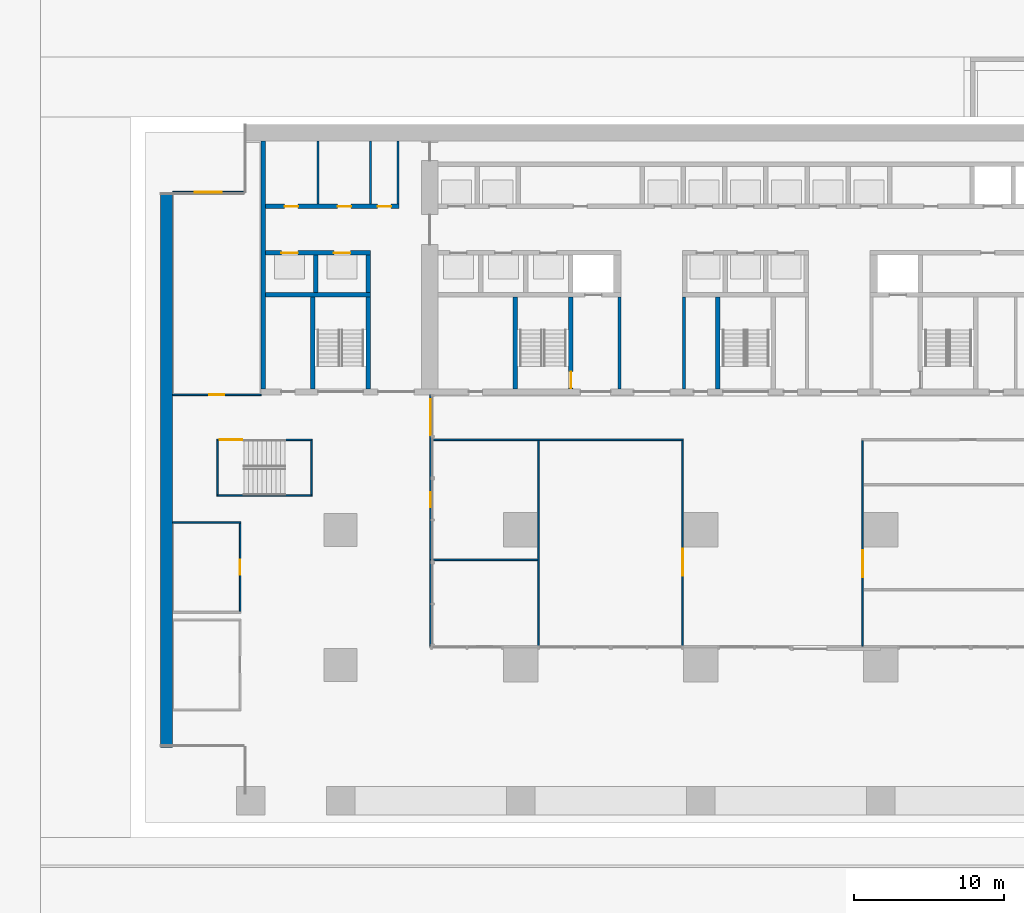
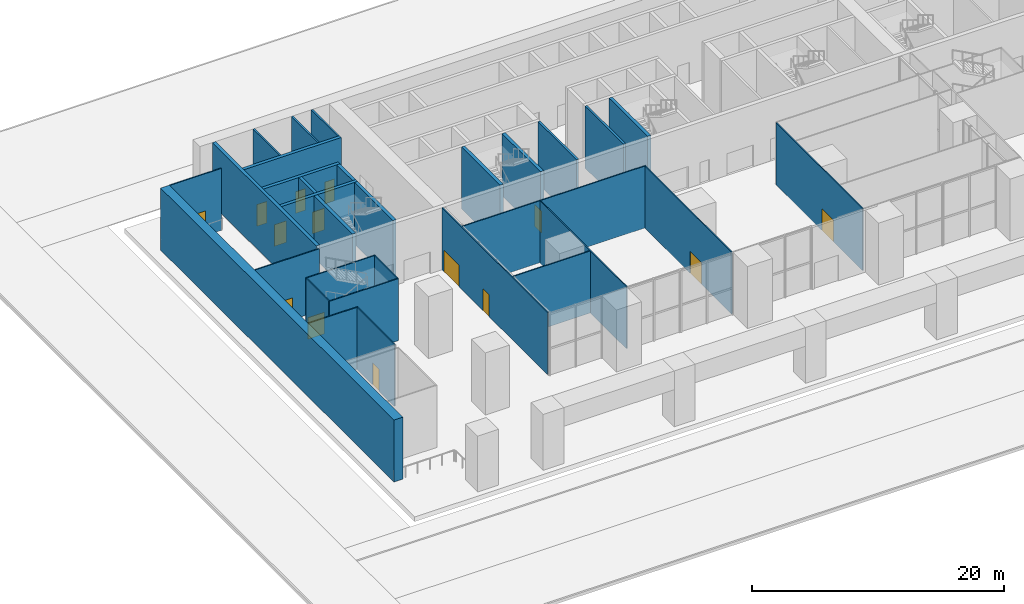
# One storey, part 6 of 16: 31 walls, 14 doors, 14 openings.
"""IFC4 building model written with IfcOpenShell, lengths in metres."""

from ifc_helpers import new_model, si_unit, direction, frame, frame_2d, origin, place, context, subcontext, project, spatial, rectangle, extrude, material, layer, layer_set, type_object, element, fill, save


model = new_model("IFC4")

# Units and contexts
model_context = context("Model", 3, precision=1e-05, world=origin(), true_north=direction((0.0, 1.0)))
body_context = subcontext(model_context, "Body", "Model", "MODEL_VIEW")
ifc_project = project(units=[si_unit("LENGTHUNIT", "METRE"), si_unit("AREAUNIT", "SQUARE_METRE"), si_unit("VOLUMEUNIT", "CUBIC_METRE"), si_unit("PLANEANGLEUNIT", "RADIAN"), si_unit("MASSUNIT", "GRAM", prefix="KILO")], contexts=[model_context])

# Site, building, storey
site_placement = place(None, origin())
site = spatial("IfcSite", under=ifc_project, at=site_placement, CompositionType="ELEMENT")
building_placement = place(site_placement, origin())
building = spatial("IfcBuilding", under=site, at=building_placement, Name="Calvaro Tower", CompositionType="ELEMENT")
storey_placement = place(building_placement, origin())
storey = spatial("IfcBuildingStorey", under=building, at=storey_placement, Name="L00", CompositionType="ELEMENT", Elevation=0.0)

# Walls
ifc_material_1 = material(Name="Blockwork partition", Category="masonry")
ifc_layer_1 = layer(ifc_material_1, 0.14990234375)
ifc_layer_set_1 = layer_set([ifc_layer_1], Name="Blockwork partition")
wall_type_1 = type_object("IfcWallType", Name="Core partition 150 EI 60", PredefinedType="PARTITIONING", material=ifc_layer_set_1)
for number, where, z_axis, x_axis, name in (
    (1, (10.5, 40.699951171875, 0.0), (0.0, 0.0, 1.0), (0.0, 1.0, 0.0), "Core partition"),
    (2, (14.0, 40.699951171875, 0.0), (0.0, 0.0, 1.0), (0.0, 1.0, 0.0), "Core partition"),
):
    element("IfcWall", number, at=place(storey_placement, frame(where, z_axis=z_axis, x_axis=x_axis)), inside=storey, type_object=wall_type_1, Name=name, PredefinedType="PARTITIONING", context=body_context, shape_type="SweptSolid", body=[
        extrude(rectangle(XDim=4.199951171875, YDim=0.14990234375, at=frame_2d((2.10009765625, 0.0))), origin(), (0.0, 0.0, 1.0), 6.0),
    ])
ifc_material_2 = material(Name="Blockwork partition", Category="masonry")
ifc_layer_2 = layer(ifc_material_2, 0.14990234375)
ifc_layer_set_2 = layer_set([ifc_layer_2], Name="Blockwork partition")
wall_type_2 = type_object("IfcWallType", Name="Core partition 150 REI 120", PredefinedType="PARTITIONING", material=ifc_layer_set_2)
wall_1_placement = place(storey_placement, frame((15.824951171875, 40.699951171875, 0.0), z_axis=(0.0, 0.0, 1.0), x_axis=(0.0, 1.0, 0.0)))
element("IfcWall", 3, at=wall_1_placement, inside=storey, type_object=wall_type_2, Name="Core partition", PredefinedType="PARTITIONING", context=body_context, shape_type="SweptSolid", body=[
    extrude(rectangle(XDim=4.199951171875, YDim=0.14990234375, at=frame_2d((2.10009765625, 0.0))), origin(), (0.0, 0.0, 1.0), 6.0),
])
ifc_material_3 = material(Name="Blockwork partition", Category="masonry")
ifc_layer_3 = layer(ifc_material_3, 0.199951171875)
ifc_layer_set_3 = layer_set([ifc_layer_3], Name="Blockwork partition")
wall_type_3 = type_object("IfcWallType", Name="Core partition 200 REI 120", PredefinedType="PARTITIONING", material=ifc_layer_set_3)
for number, where, z_axis, x_axis, name in (
    (4, (30.60009765625, 28.39990234375, 0.0), (0.0, 0.0, 1.0), (0.0, 1.0, 0.0), "Core partition"),
    (5, (34.89990234375, 28.39990234375, 0.0), (0.0, 0.0, 1.0), (0.0, 1.0, 0.0), "Core partition"),
):
    element("IfcWall", number, at=place(storey_placement, frame(where, z_axis=z_axis, x_axis=x_axis)), inside=storey, type_object=wall_type_3, Name=name, PredefinedType="PARTITIONING", context=body_context, shape_type="SweptSolid", body=[
        extrude(rectangle(XDim=6.10009765625, YDim=0.199951171875, at=frame_2d((3.050048828125, 0.0))), origin(), (0.0, 0.0, 1.0), 6.0),
    ])

# Wall, openings, doors
ifc_material_4 = material(Name="Blockwork partition", Category="masonry")
ifc_layer_4 = layer(ifc_material_4, 0.300048828125)
ifc_layer_set_4 = layer_set([ifc_layer_4], Name="Blockwork partition")
wall_type_4 = type_object("IfcWallType", Name="Core partition 300 REI 120", PredefinedType="PARTITIONING", material=ifc_layer_set_4)
wall_2_placement = place(storey_placement, frame((7.0, 40.550048828125, 0.0), z_axis=(0.0, 0.0, 1.0), x_axis=(1.0, 0.0, 0.0)))
wall_2 = element("IfcWall", 6, at=wall_2_placement, inside=storey, type_object=wall_type_4, Name="Core partition", PredefinedType="PARTITIONING", context=body_context, shape_type="SweptSolid", body=[
    extrude(rectangle(XDim=8.89990234375, YDim=0.300048828125, at=frame_2d((4.449951171875, 0.0))), origin(), (0.0, 0.0, 1.0), 6.0),
])
opening_1_placement = place(wall_2_placement, frame((1.262451171875, 0.0, 0.0)))
opening_1 = element("IfcOpeningElement", 7, at=opening_1_placement, cuts=wall_2, Name="Opening RD9", PredefinedType="OPENING", context=body_context, shape_type="SweptSolid", body=[
    extrude(rectangle(XDim=0.89990234375, YDim=2.10009765625, at=frame_2d((0.449951171875, 1.050048828125))), frame((0.0, 0.159912109375, 0.0), z_axis=(0.0, -1.0, 0.0), x_axis=(1.0, 0.0, 0.0)), (0.0, 0.0, 1.0), 0.320068359375),
])
opening_2_placement = place(wall_2_placement, frame((4.800048828125, 0.0, 0.0)))
opening_2 = element("IfcOpeningElement", 8, at=opening_2_placement, cuts=wall_2, Name="Opening RD9", PredefinedType="OPENING", context=body_context, shape_type="SweptSolid", body=[
    extrude(rectangle(XDim=0.89990234375, YDim=2.10009765625, at=frame_2d((0.449951171875, 1.050048828125))), frame((0.0, 0.159912109375, 0.0), z_axis=(0.0, -1.0, 0.0), x_axis=(1.0, 0.0, 0.0)), (0.0, 0.0, 1.0), 0.320068359375),
])
opening_3_placement = place(wall_2_placement, frame((7.46240234375, 0.0, 0.0)))
opening_3 = element("IfcOpeningElement", 9, at=opening_3_placement, cuts=wall_2, Name="Opening RD9", PredefinedType="OPENING", context=body_context, shape_type="SweptSolid", body=[
    extrude(rectangle(XDim=0.89990234375, YDim=2.10009765625, at=frame_2d((0.449951171875, 1.050048828125))), frame((0.0, 0.159912109375, 0.0), z_axis=(0.0, -1.0, 0.0), x_axis=(1.0, 0.0, 0.0)), (0.0, 0.0, 1.0), 0.320068359375),
])
ifc_material_5 = material(Name="Steel door set", Category="steel")
door_type_1 = type_object("IfcDoorType", Name="Room door 900", OperationType="SINGLE_SWING_LEFT", PredefinedType="DOOR", material=ifc_material_5)
door_1_placement = place(opening_1_placement, origin())
door_1 = element("IfcDoor", 10, at=door_1_placement, inside=storey, type_object=door_type_1, Name="Room door", OperationType="SINGLE_SWING_LEFT", OverallHeight=2.10009765625, OverallWidth=0.89990234375, PredefinedType="DOOR", context=body_context, shape_type="SweptSolid", body=[
    extrude(rectangle(XDim=0.89990234375, YDim=2.10009765625, at=frame_2d((0.449951171875, 1.050048828125))), frame((0.0, 0.02490234375, 0.0), z_axis=(0.0, -1.0, 0.0), x_axis=(1.0, 0.0, 0.0)), (0.0, 0.0, 1.0), 0.050048828125),
])
fill(opening_1, door_1)
door_2_placement = place(opening_2_placement, origin())
door_2 = element("IfcDoor", 11, at=door_2_placement, inside=storey, type_object=door_type_1, Name="Room door", OperationType="SINGLE_SWING_LEFT", OverallHeight=2.10009765625, OverallWidth=0.89990234375, PredefinedType="DOOR", context=body_context, shape_type="SweptSolid", body=[
    extrude(rectangle(XDim=0.89990234375, YDim=2.10009765625, at=frame_2d((0.449951171875, 1.050048828125))), frame((0.0, 0.02490234375, 0.0), z_axis=(0.0, -1.0, 0.0), x_axis=(1.0, 0.0, 0.0)), (0.0, 0.0, 1.0), 0.050048828125),
])
fill(opening_2, door_2)
door_3_placement = place(opening_3_placement, origin())
door_3 = element("IfcDoor", 12, at=door_3_placement, inside=storey, type_object=door_type_1, Name="Room door", OperationType="SINGLE_SWING_LEFT", OverallHeight=2.10009765625, OverallWidth=0.89990234375, PredefinedType="DOOR", context=body_context, shape_type="SweptSolid", body=[
    extrude(rectangle(XDim=0.89990234375, YDim=2.10009765625, at=frame_2d((0.449951171875, 1.050048828125))), frame((0.0, 0.02490234375, 0.0), z_axis=(0.0, -1.0, 0.0), x_axis=(1.0, 0.0, 0.0)), (0.0, 0.0, 1.0), 0.050048828125),
])
fill(opening_3, door_3)

# Walls
ifc_material_6 = material(Name="Concrete C80/95", Category="concrete")
ifc_layer_5 = layer(ifc_material_6, 0.300048828125)
ifc_layer_set_5 = layer_set([ifc_layer_5], Name="Concrete C80/95")
wall_type_5 = type_object("IfcWallType", Name="Core wall C80/95 300", PredefinedType="SHEAR", material=ifc_layer_set_5)
wall_3_placement = place(storey_placement, frame((6.85009765625, 28.39990234375, 0.0), z_axis=(0.0, 0.0, 1.0), x_axis=(0.0, 1.0, 0.0)))
element("IfcWall", 13, at=wall_3_placement, inside=storey, type_object=wall_type_5, Name="Core wall, boundary", PredefinedType="SHEAR", context=body_context, shape_type="SweptSolid", body=[
    extrude(rectangle(XDim=16.5, YDim=0.300048828125, at=frame_2d((8.25, 0.0))), origin(), (0.0, 0.0, 1.0), 6.0),
])
for number, where, z_axis, x_axis, name in (
    (14, (10.14990234375, 28.39990234375, 0.0), (0.0, 0.0, 1.0), (0.0, 1.0, 0.0), "Core wall, stair enclosure"),
    (15, (13.85009765625, 28.39990234375, 0.0), (0.0, 0.0, 1.0), (0.0, 1.0, 0.0), "Core wall, stair enclosure"),
    (16, (23.64990234375, 28.39990234375, 0.0), (0.0, 0.0, 1.0), (0.0, 1.0, 0.0), "Core wall, stair enclosure"),
):
    element("IfcWall", number, at=place(storey_placement, frame(where, z_axis=z_axis, x_axis=x_axis)), inside=storey, type_object=wall_type_5, Name=name, PredefinedType="SHEAR", context=body_context, shape_type="SweptSolid", body=[
        extrude(rectangle(XDim=6.10009765625, YDim=0.300048828125, at=frame_2d((3.050048828125, 0.0))), origin(), (0.0, 0.0, 1.0), 6.0),
    ])

# Wall, opening, door
wall_4_placement = place(storey_placement, frame((27.35009765625, 34.5, 0.0), z_axis=(0.0, 0.0, 1.0), x_axis=(0.0, -1.0, 0.0)))
wall_4 = element("IfcWall", 17, at=wall_4_placement, inside=storey, type_object=wall_type_5, Name="Core wall, stair enclosure", PredefinedType="SHEAR", context=body_context, shape_type="SweptSolid", body=[
    extrude(rectangle(XDim=6.10009765625, YDim=0.300048828125, at=frame_2d((3.050048828125, 0.0))), origin(), (0.0, 0.0, 1.0), 6.0),
])
opening_4_placement = place(wall_4_placement, frame((4.949951171875, 0.0, 0.0)))
opening_4 = element("IfcOpeningElement", 18, at=opening_4_placement, cuts=wall_4, Name="Opening FD11DX", PredefinedType="OPENING", context=body_context, shape_type="SweptSolid", body=[
    extrude(rectangle(XDim=1.10009765625, YDim=2.10009765625, at=frame_2d((0.550048828125, 1.050048828125))), frame((0.0, 0.159912109375, 0.0), z_axis=(0.0, -1.0, 0.0), x_axis=(1.0, 0.0, 0.0)), (0.0, 0.0, 1.0), 0.320068359375),
])
ifc_material_7 = material(Name="Steel door set", Category="steel")
door_type_2 = type_object("IfcDoorType", Name="External fire door 1100 FD30S", OperationType="SINGLE_SWING_LEFT", PredefinedType="DOOR", material=ifc_material_7)
door_4_placement = place(opening_4_placement, origin())
door_4 = element("IfcDoor", 19, at=door_4_placement, inside=storey, type_object=door_type_2, Name="Fire door", OperationType="SINGLE_SWING_RIGHT", OverallHeight=2.10009765625, OverallWidth=1.10009765625, PredefinedType="DOOR", context=body_context, shape_type="SweptSolid", body=[
    extrude(rectangle(XDim=1.10009765625, YDim=2.10009765625, at=frame_2d((0.550048828125, 1.050048828125))), frame((0.0, 0.02490234375, 0.0), z_axis=(0.0, -1.0, 0.0), x_axis=(1.0, 0.0, 0.0)), (0.0, 0.0, 1.0), 0.050048828125),
])
fill(opening_4, door_4)

# Walls
wall_5_placement = place(storey_placement, frame((37.14990234375, 28.39990234375, 0.0), z_axis=(0.0, 0.0, 1.0), x_axis=(0.0, 1.0, 0.0)))
element("IfcWall", 20, at=wall_5_placement, inside=storey, type_object=wall_type_5, Name="Core wall, stair enclosure", PredefinedType="SHEAR", context=body_context, shape_type="SweptSolid", body=[
    extrude(rectangle(XDim=6.10009765625, YDim=0.300048828125, at=frame_2d((3.050048828125, 0.0))), origin(), (0.0, 0.0, 1.0), 6.0),
])
wall_6_placement = place(storey_placement, frame((7.0, 34.64990234375, 0.0), z_axis=(0.0, 0.0, 1.0), x_axis=(1.0, 0.0, 0.0)))
element("IfcWall", 21, at=wall_6_placement, inside=storey, type_object=wall_type_5, Name="Core wall, lift shaft", PredefinedType="SHEAR", context=body_context, shape_type="SweptSolid", body=[
    extrude(rectangle(XDim=7.0, YDim=0.300048828125, at=frame_2d((3.5, 0.0))), origin(), (0.0, 0.0, 1.0), 6.0),
])

# Wall, openings, doors
wall_7_placement = place(storey_placement, frame((7.0, 37.449951171875, 0.0), z_axis=(0.0, 0.0, 1.0), x_axis=(1.0, 0.0, 0.0)))
wall_7 = element("IfcWall", 22, at=wall_7_placement, inside=storey, type_object=wall_type_5, Name="Core wall, lift shaft", PredefinedType="SHEAR", context=body_context, shape_type="SweptSolid", body=[
    extrude(rectangle(XDim=7.0, YDim=0.300048828125, at=frame_2d((3.5, 0.0))), origin(), (0.0, 0.0, 1.0), 6.0),
])
opening_5_placement = place(wall_7_placement, frame((1.050048828125, 0.0, 0.0)))
opening_5 = element("IfcOpeningElement", 23, at=opening_5_placement, cuts=wall_7, Name="Opening EX1", PredefinedType="OPENING", context=body_context, shape_type="SweptSolid", body=[
    extrude(rectangle(XDim=1.10009765625, YDim=2.10009765625, at=frame_2d((0.550048828125, 1.050048828125))), frame((0.0, 0.159912109375, 0.0), z_axis=(0.0, -1.0, 0.0), x_axis=(1.0, 0.0, 0.0)), (0.0, 0.0, 1.0), 0.320068359375),
])
opening_6_placement = place(wall_7_placement, frame((4.550048828125, 0.0, 0.0)))
opening_6 = element("IfcOpeningElement", 24, at=opening_6_placement, cuts=wall_7, Name="Opening EX2", PredefinedType="OPENING", context=body_context, shape_type="SweptSolid", body=[
    extrude(rectangle(XDim=1.10009765625, YDim=2.10009765625, at=frame_2d((0.550048828125, 1.050048828125))), frame((0.0, 0.159912109375, 0.0), z_axis=(0.0, -1.0, 0.0), x_axis=(1.0, 0.0, 0.0)), (0.0, 0.0, 1.0), 0.320068359375),
])
ifc_material_8 = material(Name="Stainless steel", Category="steel")
door_type_3 = type_object("IfcDoorType", Name="Landing door 1100 E 60", OperationType="SLIDING_TO_LEFT", PredefinedType="DOOR", material=ifc_material_8)
door_5_placement = place(opening_5_placement, origin())
door_5 = element("IfcDoor", 25, at=door_5_placement, inside=storey, type_object=door_type_3, Name="Landing door EX1", OperationType="SLIDING_TO_LEFT", OverallHeight=2.10009765625, OverallWidth=1.10009765625, PredefinedType="DOOR", context=body_context, shape_type="SweptSolid", body=[
    extrude(rectangle(XDim=1.10009765625, YDim=2.10009765625, at=frame_2d((0.550048828125, 1.050048828125))), frame((0.0, 0.02490234375, 0.0), z_axis=(0.0, -1.0, 0.0), x_axis=(1.0, 0.0, 0.0)), (0.0, 0.0, 1.0), 0.050048828125),
])
fill(opening_5, door_5)
door_6_placement = place(opening_6_placement, origin())
door_6 = element("IfcDoor", 26, at=door_6_placement, inside=storey, type_object=door_type_3, Name="Landing door EX2", OperationType="SLIDING_TO_LEFT", OverallHeight=2.10009765625, OverallWidth=1.10009765625, PredefinedType="DOOR", context=body_context, shape_type="SweptSolid", body=[
    extrude(rectangle(XDim=1.10009765625, YDim=2.10009765625, at=frame_2d((0.550048828125, 1.050048828125))), frame((0.0, 0.02490234375, 0.0), z_axis=(0.0, -1.0, 0.0), x_axis=(1.0, 0.0, 0.0)), (0.0, 0.0, 1.0), 0.050048828125),
])
fill(opening_6, door_6)

# Walls
for number, where, z_axis, x_axis, name in (
    (27, (13.85009765625, 34.800048828125, 0.0), (0.0, 0.0, 1.0), (0.0, 1.0, 0.0), "Core wall, lift shaft"),
    (28, (10.35009765625, 34.800048828125, 0.0), (0.0, 0.0, 1.0), (0.0, 1.0, 0.0), "Core wall, lift shaft"),
):
    element("IfcWall", number, at=place(storey_placement, frame(where, z_axis=z_axis, x_axis=x_axis)), inside=storey, type_object=wall_type_5, Name=name, PredefinedType="SHEAR", context=body_context, shape_type="SweptSolid", body=[
        extrude(rectangle(XDim=2.5, YDim=0.300048828125, at=frame_2d((1.25, 0.0))), origin(), (0.0, 0.0, 1.0), 6.0),
    ])
ifc_material_9 = material(Name="Concrete C80/95", Category="concrete")
ifc_layer_6 = layer(ifc_material_9, 0.800048828125)
ifc_layer_set_6 = layer_set([ifc_layer_6], Name="Concrete C80/95")
wall_type_6 = type_object("IfcWallType", Name="End wall 800 C80/95", PredefinedType="SHEAR", material=ifc_layer_set_6)
wall_8_placement = place(storey_placement, frame((0.39990234375, 4.5, 0.0), z_axis=(0.0, 0.0, 1.0), x_axis=(0.0, 1.0, 0.0)))
element("IfcWall", 29, at=wall_8_placement, inside=storey, type_object=wall_type_6, Name="End shear wall", PredefinedType="SHEAR", context=body_context, shape_type="SweptSolid", body=[
    extrude(rectangle(XDim=37.0, YDim=0.800048828125, at=frame_2d((18.5, 0.0))), origin(), (0.0, 0.0, 1.0), 6.0),
])

# Wall, openings, doors
ifc_material_10 = material(Name="Glass", Category="glass")
ifc_layer_7 = layer(ifc_material_10, 0.10009765625)
ifc_layer_set_7 = layer_set([ifc_layer_7], Name="Glass")
wall_type_7 = type_object("IfcWallType", Name="External glazed partition 100", PredefinedType="PARTITIONING", material=ifc_layer_set_7)
wall_9_placement = place(storey_placement, frame((18.0, 11.25, 0.0), z_axis=(0.0, 0.0, 1.0), x_axis=(0.0, 1.0, 0.0)))
wall_9 = element("IfcWall", 30, at=wall_9_placement, inside=storey, type_object=wall_type_7, Name="Partition T03.W027", PredefinedType="PARTITIONING", context=body_context, shape_type="SweptSolid", body=[
    extrude(rectangle(XDim=16.75, YDim=0.10009765625, at=frame_2d((8.375, 0.0))), origin(), (0.0, 0.0, 1.0), 6.0),
])
opening_7_placement = place(wall_9_placement, frame((14.050048828125, 0.0, 0.0)))
opening_7 = element("IfcOpeningElement", 31, at=opening_7_placement, cuts=wall_9, Name="Opening T03.001", PredefinedType="OPENING", context=body_context, shape_type="SweptSolid", body=[
    extrude(rectangle(XDim=2.39990234375, YDim=2.10009765625, at=frame_2d((1.199951171875, 1.050048828125))), frame((0.0, 0.06005859375, 0.0), z_axis=(0.0, -1.0, 0.0), x_axis=(1.0, 0.0, 0.0)), (0.0, 0.0, 1.0), 0.1201171875),
])
opening_8_placement = place(wall_9_placement, frame((9.25, 0.0, 0.0)))
opening_8 = element("IfcOpeningElement", 32, at=opening_8_placement, cuts=wall_9, Name="Opening T03.011", PredefinedType="OPENING", context=body_context, shape_type="SweptSolid", body=[
    extrude(rectangle(XDim=1.0, YDim=2.10009765625, at=frame_2d((0.5, 1.050048828125))), frame((0.0, 0.06005859375, 0.0), z_axis=(0.0, -1.0, 0.0), x_axis=(1.0, 0.0, 0.0)), (0.0, 0.0, 1.0), 0.1201171875),
])
ifc_material_11 = material(Name="Glass", Category="glass")
door_type_4 = type_object("IfcDoorType", Name="External glazed double door 2400 x 2100", OperationType="DOUBLE_DOOR_SINGLE_SWING", PredefinedType="DOOR", material=ifc_material_11)
door_7_placement = place(opening_7_placement, origin())
door_7 = element("IfcDoor", 33, at=door_7_placement, inside=storey, type_object=door_type_4, Name="Door T03.001", OperationType="DOUBLE_DOOR_SINGLE_SWING", OverallHeight=2.10009765625, OverallWidth=2.39990234375, PredefinedType="DOOR", context=body_context, shape_type="SweptSolid", body=[
    extrude(rectangle(XDim=2.39990234375, YDim=2.10009765625, at=frame_2d((1.199951171875, 1.050048828125))), frame((0.0, 0.02490234375, 0.0), z_axis=(0.0, -1.0, 0.0), x_axis=(1.0, 0.0, 0.0)), (0.0, 0.0, 1.0), 0.050048828125),
])
fill(opening_7, door_7)
ifc_material_12 = material(Name="Glass", Category="glass")
door_type_5 = type_object("IfcDoorType", Name="External glazed single door 1000 x 2100", OperationType="SINGLE_SWING_LEFT", PredefinedType="DOOR", material=ifc_material_12)
door_8_placement = place(opening_8_placement, origin())
door_8 = element("IfcDoor", 34, at=door_8_placement, inside=storey, type_object=door_type_5, Name="Door T03.011", OperationType="SINGLE_SWING_RIGHT", OverallHeight=2.10009765625, OverallWidth=1.0, PredefinedType="DOOR", context=body_context, shape_type="SweptSolid", body=[
    extrude(rectangle(XDim=1.0, YDim=2.10009765625, at=frame_2d((0.5, 1.050048828125))), frame((0.0, 0.02490234375, 0.0), z_axis=(0.0, -1.0, 0.0), x_axis=(1.0, 0.0, 0.0)), (0.0, 0.0, 1.0), 0.050048828125),
])
fill(opening_8, door_8)

# Wall
ifc_material_13 = material(Name="Plasterboard on steel studs", Category="steel")
ifc_layer_8 = layer(ifc_material_13, 0.10009765625)
ifc_layer_set_8 = layer_set([ifc_layer_8], Name="Plasterboard on steel studs")
wall_type_8 = type_object("IfcWallType", Name="External partition 100", PredefinedType="PARTITIONING", material=ifc_layer_set_8)
wall_10_placement = place(storey_placement, frame((0.800048828125, 19.5, 0.0), z_axis=(0.0, 0.0, 1.0), x_axis=(1.0, 0.0, 0.0)))
element("IfcWall", 35, at=wall_10_placement, inside=storey, type_object=wall_type_8, Name="Partition T03.W011", PredefinedType="PARTITIONING", context=body_context, shape_type="SweptSolid", body=[
    extrude(rectangle(XDim=4.550048828125, YDim=0.10009765625, at=frame_2d((2.27490234375, 0.0))), origin(), (0.0, 0.0, 1.0), 6.0),
])

# Wall, opening, door
wall_11_placement = place(storey_placement, frame((5.300048828125, 13.550048828125, 0.0), z_axis=(0.0, 0.0, 1.0), x_axis=(0.0, 1.0, 0.0)))
wall_11 = element("IfcWall", 36, at=wall_11_placement, inside=storey, type_object=wall_type_8, Name="Partition T03.W025", PredefinedType="PARTITIONING", context=body_context, shape_type="SweptSolid", body=[
    extrude(rectangle(XDim=5.89990234375, YDim=0.10009765625, at=frame_2d((2.949951171875, 0.0))), origin(), (0.0, 0.0, 1.0), 6.0),
])
opening_9_placement = place(wall_11_placement, frame((2.449951171875, 0.0, 0.0)))
opening_9 = element("IfcOpeningElement", 37, at=opening_9_placement, cuts=wall_11, Name="Opening T03.007", PredefinedType="OPENING", context=body_context, shape_type="SweptSolid", body=[
    extrude(rectangle(XDim=1.0, YDim=2.10009765625, at=frame_2d((0.5, 1.050048828125))), frame((0.0, 0.06005859375, 0.0), z_axis=(0.0, -1.0, 0.0), x_axis=(1.0, 0.0, 0.0)), (0.0, 0.0, 1.0), 0.1201171875),
])
ifc_material_14 = material(Name="Timber", Category="wood")
door_type_6 = type_object("IfcDoorType", Name="External single door 1000 x 2100", OperationType="SINGLE_SWING_LEFT", PredefinedType="DOOR", material=ifc_material_14)
door_9_placement = place(opening_9_placement, frame((1.0, 0.0, 0.0), z_axis=(0.0, 0.0, 1.0), x_axis=(-1.0, 0.0, 0.0)))
door_9 = element("IfcDoor", 38, at=door_9_placement, inside=storey, type_object=door_type_6, Name="Door T03.007", OperationType="SINGLE_SWING_LEFT", OverallHeight=2.10009765625, OverallWidth=1.0, PredefinedType="DOOR", context=body_context, shape_type="SweptSolid", body=[
    extrude(rectangle(XDim=1.0, YDim=2.10009765625, at=frame_2d((0.5, 1.050048828125))), frame((0.0, 0.02490234375, 0.0), z_axis=(0.0, -1.0, 0.0), x_axis=(1.0, 0.0, 0.0)), (0.0, 0.0, 1.0), 0.050048828125),
])
fill(opening_9, door_9)

ifc_material_15 = material(Name="Plasterboard on steel studs", Category="steel")
ifc_layer_9 = layer(ifc_material_15, 0.10009765625)
ifc_layer_set_9 = layer_set([ifc_layer_9], Name="Plasterboard on steel studs")
wall_type_9 = type_object("IfcWallType", Name="External partition 100 EI 60", PredefinedType="PARTITIONING", material=ifc_layer_set_9)
wall_12_placement = place(storey_placement, frame((0.800048828125, 28.0, 0.0), z_axis=(0.0, 0.0, 1.0), x_axis=(1.0, 0.0, 0.0)))
wall_12 = element("IfcWall", 39, at=wall_12_placement, inside=storey, type_object=wall_type_9, Name="Partition T03.W020", PredefinedType="PARTITIONING", context=body_context, shape_type="SweptSolid", body=[
    extrude(rectangle(XDim=5.89990234375, YDim=0.10009765625, at=frame_2d((2.949951171875, 0.0))), origin(), (0.0, 0.0, 1.0), 6.0),
])
opening_10_placement = place(wall_12_placement, frame((2.449951171875, 0.0, 0.0)))
opening_10 = element("IfcOpeningElement", 40, at=opening_10_placement, cuts=wall_12, Name="Opening T03.016", PredefinedType="OPENING", context=body_context, shape_type="SweptSolid", body=[
    extrude(rectangle(XDim=1.0, YDim=2.10009765625, at=frame_2d((0.5, 1.050048828125))), frame((0.0, 0.06005859375, 0.0), z_axis=(0.0, -1.0, 0.0), x_axis=(1.0, 0.0, 0.0)), (0.0, 0.0, 1.0), 0.1201171875),
])
ifc_material_16 = material(Name="Timber", Category="wood")
door_type_7 = type_object("IfcDoorType", Name="External single door 1000 x 2100 FD30", OperationType="SINGLE_SWING_LEFT", PredefinedType="DOOR", material=ifc_material_16)
door_10_placement = place(opening_10_placement, frame((1.0, 0.0, 0.0), z_axis=(0.0, 0.0, 1.0), x_axis=(-1.0, 0.0, 0.0)))
door_10 = element("IfcDoor", 41, at=door_10_placement, inside=storey, type_object=door_type_7, Name="Door T03.016", OperationType="SINGLE_SWING_RIGHT", OverallHeight=2.10009765625, OverallWidth=1.0, PredefinedType="DOOR", context=body_context, shape_type="SweptSolid", body=[
    extrude(rectangle(XDim=1.0, YDim=2.10009765625, at=frame_2d((0.5, 1.050048828125))), frame((0.0, 0.02490234375, 0.0), z_axis=(0.0, -1.0, 0.0), x_axis=(1.0, 0.0, 0.0)), (0.0, 0.0, 1.0), 0.050048828125),
])
fill(opening_10, door_10)

wall_13_placement = place(storey_placement, frame((0.800048828125, 41.5, 0.0), z_axis=(0.0, 0.0, 1.0), x_axis=(1.0, 0.0, 0.0)))
wall_13 = element("IfcWall", 42, at=wall_13_placement, inside=storey, type_object=wall_type_9, Name="Partition T03.W022", PredefinedType="PARTITIONING", context=body_context, shape_type="SweptSolid", body=[
    extrude(rectangle(XDim=4.75, YDim=0.10009765625, at=frame_2d((2.375, 0.0))), origin(), (0.0, 0.0, 1.0), 6.0),
])
opening_11_placement = place(wall_13_placement, frame((1.47509765625, 0.0, 0.0)))
opening_11 = element("IfcOpeningElement", 43, at=opening_11_placement, cuts=wall_13, Name="Opening DC1", PredefinedType="OPENING", context=body_context, shape_type="SweptSolid", body=[
    extrude(rectangle(XDim=1.800048828125, YDim=2.39990234375, at=frame_2d((0.89990234375, 1.199951171875))), frame((0.0, 0.06005859375, 0.0), z_axis=(0.0, -1.0, 0.0), x_axis=(1.0, 0.0, 0.0)), (0.0, 0.0, 1.0), 0.1201171875),
])
ifc_material_17 = material(Name="Glass", Category="glass")
door_type_8 = type_object("IfcDoorType", Name="Cycle entrance door pair 1800 x 2400", OperationType="DOUBLE_DOOR_SINGLE_SWING", PredefinedType="DOOR", material=ifc_material_17)
door_11_placement = place(opening_11_placement, origin())
door_11 = element("IfcDoor", 44, at=door_11_placement, inside=storey, type_object=door_type_8, Name="Cycle door", OperationType="DOUBLE_DOOR_SINGLE_SWING", OverallHeight=2.39990234375, OverallWidth=1.800048828125, PredefinedType="DOOR", context=body_context, shape_type="SweptSolid", body=[
    extrude(rectangle(XDim=1.800048828125, YDim=2.39990234375, at=frame_2d((0.89990234375, 1.199951171875))), frame((0.0, 0.02490234375, 0.0), z_axis=(0.0, -1.0, 0.0), x_axis=(1.0, 0.0, 0.0)), (0.0, 0.0, 1.0), 0.050048828125),
])
fill(opening_11, door_11)

# Wall
ifc_material_18 = material(Name="Concrete C40/50", Category="concrete")
ifc_layer_10 = layer(ifc_material_18, 0.10009765625)
ifc_layer_set_10 = layer_set([ifc_layer_10], Name="Concrete C40/50")
wall_type_10 = type_object("IfcWallType", Name="External stair enclosure wall 100", PredefinedType="SOLIDWALL", material=ifc_layer_set_10)
wall_14_placement = place(storey_placement, frame((3.75, 21.300048828125, 0.0), z_axis=(0.0, 0.0, 1.0), x_axis=(1.0, 0.0, 0.0)))
element("IfcWall", 45, at=wall_14_placement, inside=storey, type_object=wall_type_10, Name="Stair enclosure wall T03.W013", PredefinedType="SOLIDWALL", context=body_context, shape_type="SweptSolid", body=[
    extrude(rectangle(XDim=6.35009765625, YDim=0.10009765625, at=frame_2d((3.175048828125, 0.0))), origin(), (0.0, 0.0, 1.0), 6.0),
])

# Wall, opening, door
wall_15_placement = place(storey_placement, frame((3.75, 25.0, 0.0), z_axis=(0.0, 0.0, 1.0), x_axis=(1.0, 0.0, 0.0)))
wall_15 = element("IfcWall", 46, at=wall_15_placement, inside=storey, type_object=wall_type_10, Name="Stair enclosure wall T03.W016", PredefinedType="SOLIDWALL", context=body_context, shape_type="SweptSolid", body=[
    extrude(rectangle(XDim=6.35009765625, YDim=0.10009765625, at=frame_2d((3.175048828125, 0.0))), origin(), (0.0, 0.0, 1.0), 6.0),
])
opening_12_placement = place(wall_15_placement, frame((0.199951171875, 0.0, 0.0)))
opening_12 = element("IfcOpeningElement", 47, at=opening_12_placement, cuts=wall_15, Name="Opening T03.012", PredefinedType="OPENING", context=body_context, shape_type="SweptSolid", body=[
    extrude(rectangle(XDim=1.5, YDim=2.10009765625, at=frame_2d((0.75, 1.050048828125))), frame((0.0, 0.06005859375, 0.0), z_axis=(0.0, -1.0, 0.0), x_axis=(1.0, 0.0, 0.0)), (0.0, 0.0, 1.0), 0.1201171875),
])
ifc_material_19 = material(Name="Timber", Category="wood")
door_type_9 = type_object("IfcDoorType", Name="External double door 1500 x 2100 FD30S", OperationType="DOUBLE_DOOR_SINGLE_SWING", PredefinedType="DOOR", material=ifc_material_19)
door_12_placement = place(opening_12_placement, origin())
door_12 = element("IfcDoor", 48, at=door_12_placement, inside=storey, type_object=door_type_9, Name="Door T03.012", OperationType="DOUBLE_DOOR_SINGLE_SWING", OverallHeight=2.10009765625, OverallWidth=1.5, PredefinedType="DOOR", context=body_context, shape_type="SweptSolid", body=[
    extrude(rectangle(XDim=1.5, YDim=2.10009765625, at=frame_2d((0.75, 1.050048828125))), frame((0.0, 0.02490234375, 0.0), z_axis=(0.0, -1.0, 0.0), x_axis=(1.0, 0.0, 0.0)), (0.0, 0.0, 1.0), 0.050048828125),
])
fill(opening_12, door_12)

# Walls
for number, where, z_axis, x_axis, name in (
    (49, (3.800048828125, 21.35009765625, 0.0), (0.0, 0.0, 1.0), (0.0, 1.0, 0.0), "Stair enclosure wall T03.W023"),
    (50, (10.050048828125, 21.35009765625, 0.0), (0.0, 0.0, 1.0), (0.0, 1.0, 0.0), "Stair enclosure wall T03.W026"),
):
    element("IfcWall", number, at=place(storey_placement, frame(where, z_axis=z_axis, x_axis=x_axis)), inside=storey, type_object=wall_type_10, Name=name, PredefinedType="SOLIDWALL", context=body_context, shape_type="SweptSolid", body=[
        extrude(rectangle(XDim=3.599853515625, YDim=0.10009765625, at=frame_2d((1.7998046875, 0.0))), origin(), (0.0, 0.0, 1.0), 6.0),
    ])
ifc_material_20 = material(Name="Glass", Category="glass")
ifc_layer_11 = layer(ifc_material_20, 0.10009765625)
ifc_layer_set_11 = layer_set([ifc_layer_11], Name="Glass")
wall_type_11 = type_object("IfcWallType", Name="Glazed partition 100", PredefinedType="PARTITIONING", material=ifc_layer_set_11)
wall_16_placement = place(storey_placement, frame((18.050048828125, 17.0, 0.0), z_axis=(0.0, 0.0, 1.0), x_axis=(1.0, 0.0, 0.0)))
element("IfcWall", 51, at=wall_16_placement, inside=storey, type_object=wall_type_11, Name="Partition T03.W010", PredefinedType="PARTITIONING", context=body_context, shape_type="SweptSolid", body=[
    extrude(rectangle(XDim=7.099853515625, YDim=0.10009765625, at=frame_2d((3.5498046875, 0.0))), origin(), (0.0, 0.0, 1.0), 6.0),
])
wall_17_placement = place(storey_placement, frame((18.050048828125, 25.0, 0.0), z_axis=(0.0, 0.0, 1.0), x_axis=(1.0, 0.0, 0.0)))
element("IfcWall", 52, at=wall_17_placement, inside=storey, type_object=wall_type_11, Name="Partition T03.W017", PredefinedType="PARTITIONING", context=body_context, shape_type="SweptSolid", body=[
    extrude(rectangle(XDim=16.800048828125, YDim=0.10009765625, at=frame_2d((8.39990234375, 0.0))), origin(), (0.0, 0.0, 1.0), 6.0),
])
wall_18_placement = place(storey_placement, frame((25.199951171875, 11.25, 0.0), z_axis=(0.0, 0.0, 1.0), x_axis=(0.0, 1.0, 0.0)))
element("IfcWall", 53, at=wall_18_placement, inside=storey, type_object=wall_type_11, Name="Partition T03.W028", PredefinedType="PARTITIONING", context=body_context, shape_type="SweptSolid", body=[
    extrude(rectangle(XDim=13.699951171875, YDim=0.10009765625, at=frame_2d((6.85009765625, 0.0))), origin(), (0.0, 0.0, 1.0), 6.0),
])

# Wall, opening, door
wall_19_placement = place(storey_placement, frame((34.800048828125, 11.25, 0.0), z_axis=(0.0, 0.0, 1.0), x_axis=(0.0, 1.0, 0.0)))
wall_19 = element("IfcWall", 54, at=wall_19_placement, inside=storey, type_object=wall_type_11, Name="Partition T03.W029", PredefinedType="PARTITIONING", context=body_context, shape_type="SweptSolid", body=[
    extrude(rectangle(XDim=13.699951171875, YDim=0.10009765625, at=frame_2d((6.85009765625, 0.0))), origin(), (0.0, 0.0, 1.0), 6.0),
])
opening_13_placement = place(wall_19_placement, frame((4.699951171875, 0.0, 0.0)))
opening_13 = element("IfcOpeningElement", 55, at=opening_13_placement, cuts=wall_19, Name="Opening T03.009", PredefinedType="OPENING", context=body_context, shape_type="SweptSolid", body=[
    extrude(rectangle(XDim=1.800048828125, YDim=2.10009765625, at=frame_2d((0.89990234375, 1.050048828125))), frame((0.0, 0.06005859375, 0.0), z_axis=(0.0, -1.0, 0.0), x_axis=(1.0, 0.0, 0.0)), (0.0, 0.0, 1.0), 0.1201171875),
])
ifc_material_21 = material(Name="Glass", Category="glass")
door_type_10 = type_object("IfcDoorType", Name="Internal glazed double door 1800 x 2100", OperationType="DOUBLE_DOOR_SINGLE_SWING", PredefinedType="DOOR", material=ifc_material_21)
door_13_placement = place(opening_13_placement, origin())
door_13 = element("IfcDoor", 56, at=door_13_placement, inside=storey, type_object=door_type_10, Name="Door T03.009", OperationType="DOUBLE_DOOR_SINGLE_SWING", OverallHeight=2.10009765625, OverallWidth=1.800048828125, PredefinedType="DOOR", context=body_context, shape_type="SweptSolid", body=[
    extrude(rectangle(XDim=1.800048828125, YDim=2.10009765625, at=frame_2d((0.89990234375, 1.050048828125))), frame((0.0, 0.02490234375, 0.0), z_axis=(0.0, -1.0, 0.0), x_axis=(1.0, 0.0, 0.0)), (0.0, 0.0, 1.0), 0.050048828125),
])
fill(opening_13, door_13)

wall_20_placement = place(storey_placement, frame((46.800048828125, 11.25, 0.0), z_axis=(0.0, 0.0, 1.0), x_axis=(0.0, 1.0, 0.0)))
wall_20 = element("IfcWall", 57, at=wall_20_placement, inside=storey, type_object=wall_type_11, Name="Partition T03.W030", PredefinedType="PARTITIONING", context=body_context, shape_type="SweptSolid", body=[
    extrude(rectangle(XDim=13.699951171875, YDim=0.10009765625, at=frame_2d((6.85009765625, 0.0))), origin(), (0.0, 0.0, 1.0), 6.0),
])
opening_14_placement = place(wall_20_placement, frame((4.60009765625, 0.0, 0.0)))
opening_14 = element("IfcOpeningElement", 58, at=opening_14_placement, cuts=wall_20, Name="Opening T03.010", PredefinedType="OPENING", context=body_context, shape_type="SweptSolid", body=[
    extrude(rectangle(XDim=1.800048828125, YDim=2.10009765625, at=frame_2d((0.89990234375, 1.050048828125))), frame((0.0, 0.06005859375, 0.0), z_axis=(0.0, -1.0, 0.0), x_axis=(1.0, 0.0, 0.0)), (0.0, 0.0, 1.0), 0.1201171875),
])
door_14_placement = place(opening_14_placement, origin())
door_14 = element("IfcDoor", 59, at=door_14_placement, inside=storey, type_object=door_type_10, Name="Door T03.010", OperationType="DOUBLE_DOOR_SINGLE_SWING", OverallHeight=2.10009765625, OverallWidth=1.800048828125, PredefinedType="DOOR", context=body_context, shape_type="SweptSolid", body=[
    extrude(rectangle(XDim=1.800048828125, YDim=2.10009765625, at=frame_2d((0.89990234375, 1.050048828125))), frame((0.0, 0.02490234375, 0.0), z_axis=(0.0, -1.0, 0.0), x_axis=(1.0, 0.0, 0.0)), (0.0, 0.0, 1.0), 0.050048828125),
])
fill(opening_14, door_14)

save(model, "model.ifc")
